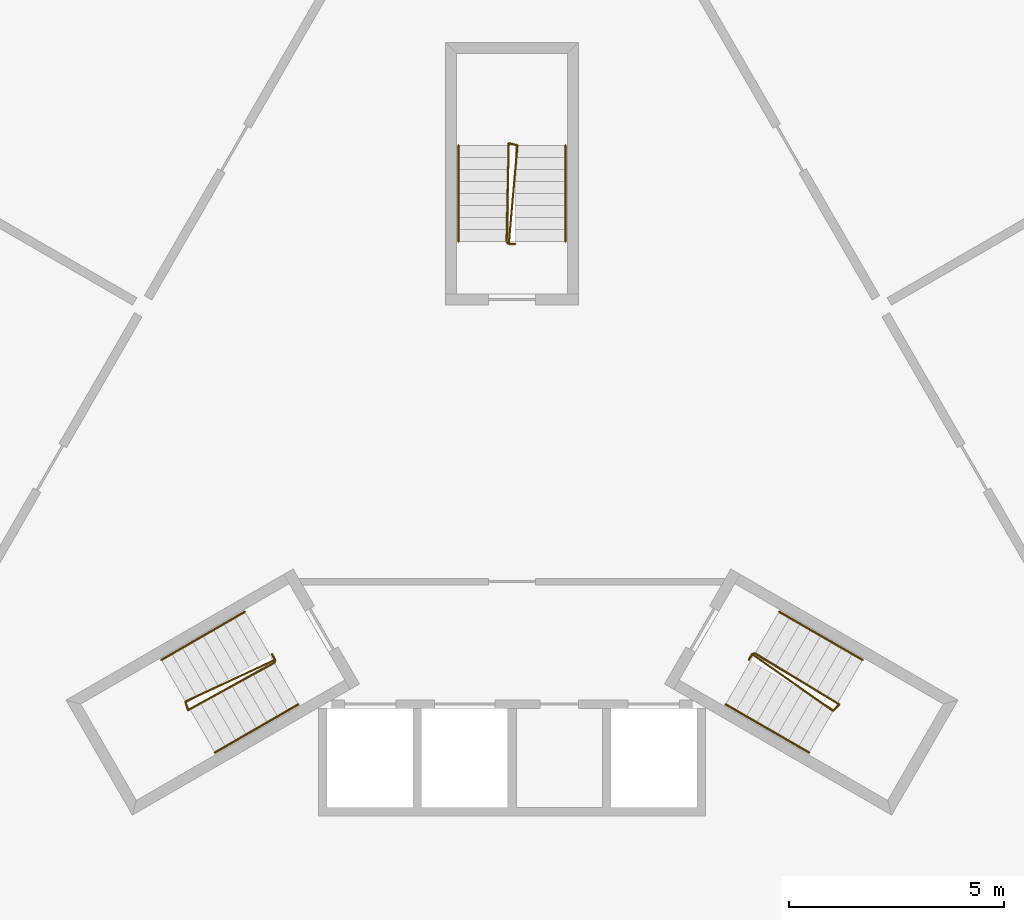
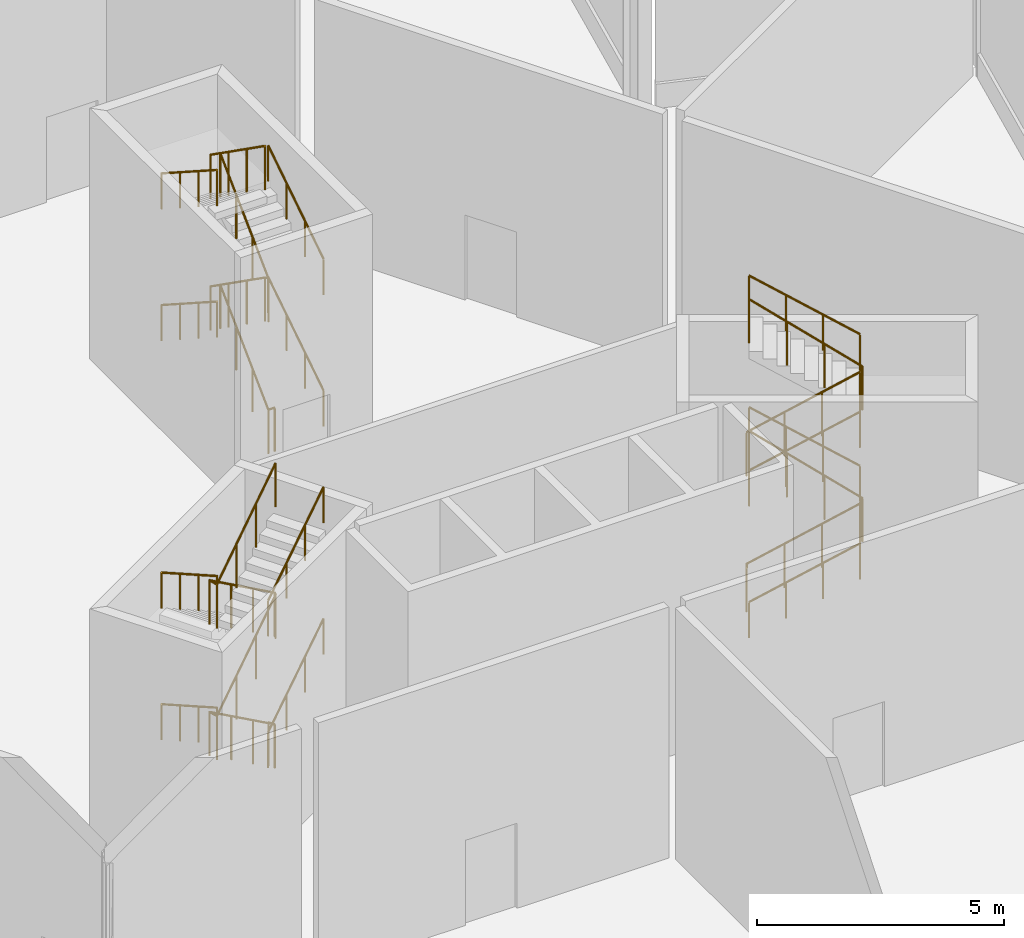
# One storey, part 12 of 12: 15 railings.
"""IFC4 building model written with IfcOpenShell, lengths in metres."""

from ifc_helpers import new_model, si_unit, direction, frame, origin, origin_2d, place, context, subcontext, project, spatial, circle, extrude, material, type_object, element, save


model = new_model("IFC4")

# Units and contexts
model_context = context("Model", 3, precision=1e-05, world=origin(), true_north=direction((0.0, 1.0)))
body_context = subcontext(model_context, "Body", "Model", "MODEL_VIEW")
ifc_project = project(units=[si_unit("LENGTHUNIT", "METRE"), si_unit("AREAUNIT", "SQUARE_METRE"), si_unit("VOLUMEUNIT", "CUBIC_METRE"), si_unit("PLANEANGLEUNIT", "RADIAN"), si_unit("MASSUNIT", "GRAM", prefix="KILO")], contexts=[model_context])

# Site, building, storey
site_placement = place(None, origin())
site = spatial("IfcSite", under=ifc_project, at=site_placement, CompositionType="ELEMENT")
building_placement = place(site_placement, origin())
building = spatial("IfcBuilding", under=site, at=building_placement, Name="Cormorant Prow Tower", CompositionType="ELEMENT")
storey_placement = place(building_placement, frame((0.0, 0.0, 421.699951171875)))
storey = spatial("IfcBuildingStorey", under=building, at=storey_placement, Name="L95", CompositionType="ELEMENT", Elevation=421.699951171875)

# Railings
ifc_material_1 = material(Name="Stainless steel", Category="steel")
railing_type_1 = type_object("IfcRailingType", Name="Stair guard 1100", PredefinedType="GUARDRAIL", material=ifc_material_1)
railing_1_placement = place(storey_placement, frame((-5.585205078125, -3.137939453125, 0.0)))
element("IfcRailing", 1, at=railing_1_placement, inside=storey, type_object=railing_type_1, Name="L95 ST1 stair guard 1", PredefinedType="GUARDRAIL", context=body_context, shape_type="SweptSolid", body=[
    extrude(circle(Radius=0.02392578125, at=origin_2d()), frame((0.0, 0.0, 1.076171875), z_axis=(0.501036270542, -0.865426285481, 0.0), x_axis=(0.865426285481, 0.501036270542, 0.0)), (0.0, 0.0, 1.0), 0.150146484375),
    extrude(circle(Radius=0.02392578125, at=origin_2d()), frame((0.0751953125, -0.1298828125, 1.076171875), z_axis=(-0.740008473092, -0.345244782771, 0.577229157026), x_axis=(0.422792438952, -0.906226546491, 0.0)), (0.0, 0.0, 1.0), 2.815185546875),
    extrude(circle(Radius=0.02392578125, at=origin_2d()), frame((-2.008056640625, -1.101806640625, 2.701171875), z_axis=(0.275034262293, -0.961434425515, 0.0), x_axis=(0.961434425515, 0.275034262293, 0.0)), (0.0, 0.0, 1.0), 0.2060546875),
    extrude(circle(Radius=0.02392578125, at=origin_2d()), frame((-1.951416015625, -1.2998046875, 2.701171875), z_axis=(0.715094700355, 0.392232833455, 0.578612974175), x_axis=(-0.480911908544, 0.87676891837, 0.0)), (0.0, 0.0, 1.0), 2.808349609375),
    extrude(circle(Radius=0.02392578125, at=origin_2d()), frame((0.056884765625, -0.1982421875, 4.326171875), z_axis=(0.258736085224, 0.965948051503, 0.0), x_axis=(-0.965948051503, 0.258736085224, 0.0)), (0.0, 0.0, 1.0), 0.07080078125),
    extrude(circle(Radius=0.02392578125, at=origin_2d()), frame((0.0751953125, -0.1298828125, 4.326171875), z_axis=(-0.740008473092, -0.345244782771, 0.577229157026), x_axis=(0.422792438952, -0.906226546491, 0.0)), (0.0, 0.0, 1.0), 2.815185546875),
    extrude(circle(Radius=0.02392578125, at=origin_2d()), frame((-2.008056640625, -1.101806640625, 5.951171875), z_axis=(0.275034262293, -0.961434425515, 0.0), x_axis=(0.961434425515, 0.275034262293, 0.0)), (0.0, 0.0, 1.0), 0.2060546875),
    extrude(circle(Radius=0.02392578125, at=origin_2d()), frame((-1.951416015625, -1.2998046875, 5.951171875), z_axis=(0.715094700355, 0.392232833455, 0.578612974175), x_axis=(-0.480911908544, 0.87676891837, 0.0)), (0.0, 0.0, 1.0), 2.808349609375),
    extrude(circle(Radius=0.02099609375, at=origin_2d()), origin(), (0.0, 0.0, 1.0), 1.052001953125),
    extrude(circle(Radius=0.02099609375, at=origin_2d()), frame((0.0751953125, -0.1298828125, 0.0)), (0.0, 0.0, 1.0), 1.052001953125),
    extrude(circle(Radius=0.02099609375, at=origin_2d()), frame((-0.619140625, -0.453857421875, 0.541748046875)), (0.0, 0.0, 1.0), 1.052001953125),
    extrude(circle(Radius=0.02099609375, at=origin_2d()), frame((-1.313720703125, -0.77783203125, 1.083251953125)), (0.0, 0.0, 1.0), 1.052001953125),
    extrude(circle(Radius=0.02099609375, at=origin_2d()), frame((-2.008056640625, -1.101806640625, 1.625)), (0.0, 0.0, 1.0), 1.052001953125),
    extrude(circle(Radius=0.02099609375, at=origin_2d()), frame((-1.951416015625, -1.2998046875, 1.625)), (0.0, 0.0, 1.0), 1.052001953125),
    extrude(circle(Radius=0.02099609375, at=origin_2d()), frame((-1.281982421875, -0.9326171875, 2.166748046875)), (0.0, 0.0, 1.0), 1.052001953125),
    extrude(circle(Radius=0.02099609375, at=origin_2d()), frame((-0.612548828125, -0.5654296875, 2.708251953125)), (0.0, 0.0, 1.0), 1.052001953125),
    extrude(circle(Radius=0.02099609375, at=origin_2d()), frame((0.056884765625, -0.1982421875, 3.25)), (0.0, 0.0, 1.0), 1.052001953125),
    extrude(circle(Radius=0.02099609375, at=origin_2d()), frame((0.0751953125, -0.1298828125, 3.25)), (0.0, 0.0, 1.0), 1.052001953125),
    extrude(circle(Radius=0.02099609375, at=origin_2d()), frame((-0.619140625, -0.453857421875, 3.791748046875)), (0.0, 0.0, 1.0), 1.052001953125),
    extrude(circle(Radius=0.02099609375, at=origin_2d()), frame((-1.313720703125, -0.77783203125, 4.333251953125)), (0.0, 0.0, 1.0), 1.052001953125),
    extrude(circle(Radius=0.02099609375, at=origin_2d()), frame((-2.008056640625, -1.101806640625, 4.875)), (0.0, 0.0, 1.0), 1.052001953125),
    extrude(circle(Radius=0.02099609375, at=origin_2d()), frame((-1.951416015625, -1.2998046875, 4.875)), (0.0, 0.0, 1.0), 1.052001953125),
    extrude(circle(Radius=0.02099609375, at=origin_2d()), frame((-1.281982421875, -0.9326171875, 5.416748046875)), (0.0, 0.0, 1.0), 1.052001953125),
    extrude(circle(Radius=0.02099609375, at=origin_2d()), frame((-0.612548828125, -0.5654296875, 5.958251953125)), (0.0, 0.0, 1.0), 1.052001953125),
    extrude(circle(Radius=0.02099609375, at=origin_2d()), frame((0.056884765625, -0.1982421875, 6.5)), (0.0, 0.0, 1.0), 1.052001953125),
])
railing_2_placement = place(storey_placement, frame((5.510009765625, -3.267822265625, 0.0)))
element("IfcRailing", 2, at=railing_2_placement, inside=storey, type_object=railing_type_1, Name="L95 ST2 stair guard 1", PredefinedType="GUARDRAIL", context=body_context, shape_type="SweptSolid", body=[
    extrude(circle(Radius=0.02392578125, at=origin_2d()), frame((0.0, 0.0, 1.076171875), z_axis=(0.501036270542, 0.865426285481, 0.0), x_axis=(-0.865426285481, 0.501036270542, 0.0)), (0.0, 0.0, 1.0), 0.150146484375),
    extrude(circle(Radius=0.02392578125, at=origin_2d()), frame((0.0751953125, 0.1298828125, 1.076171875), z_axis=(0.668948032696, -0.468254949893, 0.577274485365), x_axis=(0.573455215813, 0.819236910458, 0.0)), (0.0, 0.0, 1.0), 2.81494140625),
    extrude(circle(Radius=0.02392578125, at=origin_2d()), frame((1.958251953125, -1.188232421875, 2.701171875), z_axis=(0.695164929852, 0.718850276695, 0.0), x_axis=(-0.718850276695, 0.695164929852, 0.0)), (0.0, 0.0, 1.0), 0.2060546875),
    extrude(circle(Radius=0.02392578125, at=origin_2d()), frame((2.1015625, -1.0400390625, 2.701171875), z_axis=(-0.697276709807, 0.423095093708, 0.578615357246), x_axis=(-0.518752825935, -0.854924268918, 0.0)), (0.0, 0.0, 1.0), 2.808349609375),
    extrude(circle(Radius=0.02392578125, at=origin_2d()), frame((0.143310546875, 0.148193359375, 4.326171875), z_axis=(-0.965715946433, -0.259601060869, 0.0), x_axis=(0.259601060869, -0.965715946433, 0.0)), (0.0, 0.0, 1.0), 0.070556640625),
    extrude(circle(Radius=0.02392578125, at=origin_2d()), frame((0.0751953125, 0.1298828125, 4.326171875), z_axis=(0.668948032696, -0.468254949893, 0.577274485365), x_axis=(0.573455215813, 0.819236910458, 0.0)), (0.0, 0.0, 1.0), 2.81494140625),
    extrude(circle(Radius=0.02392578125, at=origin_2d()), frame((1.958251953125, -1.188232421875, 5.951171875), z_axis=(0.695164929852, 0.718850276695, 0.0), x_axis=(-0.718850276695, 0.695164929852, 0.0)), (0.0, 0.0, 1.0), 0.2060546875),
    extrude(circle(Radius=0.02392578125, at=origin_2d()), frame((2.1015625, -1.0400390625, 5.951171875), z_axis=(-0.697276709807, 0.423095093708, 0.578615357246), x_axis=(-0.518752825935, -0.854924268918, 0.0)), (0.0, 0.0, 1.0), 2.808349609375),
    extrude(circle(Radius=0.02099609375, at=origin_2d()), origin(), (0.0, 0.0, 1.0), 1.052001953125),
    extrude(circle(Radius=0.02099609375, at=origin_2d()), frame((0.0751953125, 0.1298828125, 0.0)), (0.0, 0.0, 1.0), 1.052001953125),
    extrude(circle(Radius=0.02099609375, at=origin_2d()), frame((0.702880859375, -0.3095703125, 0.541748046875)), (0.0, 0.0, 1.0), 1.052001953125),
    extrude(circle(Radius=0.02099609375, at=origin_2d()), frame((1.33056640625, -0.748779296875, 1.083251953125)), (0.0, 0.0, 1.0), 1.052001953125),
    extrude(circle(Radius=0.02099609375, at=origin_2d()), frame((1.958251953125, -1.188232421875, 1.625)), (0.0, 0.0, 1.0), 1.052001953125),
    extrude(circle(Radius=0.02099609375, at=origin_2d()), frame((2.1015625, -1.0400390625, 1.625)), (0.0, 0.0, 1.0), 1.052001953125),
    extrude(circle(Radius=0.02099609375, at=origin_2d()), frame((1.44873046875, -0.64404296875, 2.166748046875)), (0.0, 0.0, 1.0), 1.052001953125),
    extrude(circle(Radius=0.02099609375, at=origin_2d()), frame((0.796142578125, -0.247802734375, 2.708251953125)), (0.0, 0.0, 1.0), 1.052001953125),
    extrude(circle(Radius=0.02099609375, at=origin_2d()), frame((0.143310546875, 0.148193359375, 3.25)), (0.0, 0.0, 1.0), 1.052001953125),
    extrude(circle(Radius=0.02099609375, at=origin_2d()), frame((0.0751953125, 0.1298828125, 3.25)), (0.0, 0.0, 1.0), 1.052001953125),
    extrude(circle(Radius=0.02099609375, at=origin_2d()), frame((0.702880859375, -0.3095703125, 3.791748046875)), (0.0, 0.0, 1.0), 1.052001953125),
    extrude(circle(Radius=0.02099609375, at=origin_2d()), frame((1.33056640625, -0.748779296875, 4.333251953125)), (0.0, 0.0, 1.0), 1.052001953125),
    extrude(circle(Radius=0.02099609375, at=origin_2d()), frame((1.958251953125, -1.188232421875, 4.875)), (0.0, 0.0, 1.0), 1.052001953125),
    extrude(circle(Radius=0.02099609375, at=origin_2d()), frame((2.1015625, -1.0400390625, 4.875)), (0.0, 0.0, 1.0), 1.052001953125),
    extrude(circle(Radius=0.02099609375, at=origin_2d()), frame((1.44873046875, -0.64404296875, 5.416748046875)), (0.0, 0.0, 1.0), 1.052001953125),
    extrude(circle(Radius=0.02099609375, at=origin_2d()), frame((0.796142578125, -0.247802734375, 5.958251953125)), (0.0, 0.0, 1.0), 1.052001953125),
    extrude(circle(Radius=0.02099609375, at=origin_2d()), frame((0.143310546875, 0.148193359375, 6.5)), (0.0, 0.0, 1.0), 1.052001953125),
])
railing_3_placement = place(storey_placement, frame((0.074951171875, 6.40576171875, 0.0)))
element("IfcRailing", 3, at=railing_3_placement, inside=storey, type_object=railing_type_1, Name="L95 ST3 stair guard 1", PredefinedType="GUARDRAIL", context=body_context, shape_type="SweptSolid", body=[
    extrude(circle(Radius=0.02392578125, at=origin_2d()), frame((0.0, 0.0, 1.076171875), z_axis=(-1.0, 0.0, 0.0), x_axis=(0.0, -1.0, 0.0)), (0.0, 0.0, 1.0), 0.14990234375),
    extrude(circle(Radius=0.02392578125, at=origin_2d()), frame((-0.14990234375, 0.0, 1.076171875), z_axis=(0.071027656616, 0.813479144146, 0.577240637893), x_axis=(-0.996209839609, 0.086982500921, 0.0)), (0.0, 0.0, 1.0), 2.815185546875),
    extrude(circle(Radius=0.02392578125, at=origin_2d()), frame((0.050048828125, 2.2900390625, 2.701171875), z_axis=(-0.970072785993, 0.242814311512, 0.0), x_axis=(-0.242814311512, -0.970072785993, 0.0)), (0.0, 0.0, 1.0), 0.2060546875),
    extrude(circle(Radius=0.02392578125, at=origin_2d()), frame((-0.14990234375, 2.340087890625, 2.701171875), z_axis=(-0.017820781196, -0.815409403021, 0.578610339713), x_axis=(0.999761264773, -0.0218497931, 0.0)), (0.0, 0.0, 1.0), 2.808349609375),
    extrude(circle(Radius=0.02392578125, at=origin_2d()), frame((-0.199951171875, 0.050048828125, 4.326171875), z_axis=(0.707106781187, -0.707106781187, 0.0), x_axis=(0.707106781187, 0.707106781187, 0.0)), (0.0, 0.0, 1.0), 0.07080078125),
    extrude(circle(Radius=0.02392578125, at=origin_2d()), frame((-0.14990234375, 0.0, 4.326171875), z_axis=(0.071027656616, 0.813479144146, 0.577240637893), x_axis=(-0.996209839609, 0.086982500921, 0.0)), (0.0, 0.0, 1.0), 2.815185546875),
    extrude(circle(Radius=0.02392578125, at=origin_2d()), frame((0.050048828125, 2.2900390625, 5.951171875), z_axis=(-0.970072785993, 0.242814311512, 0.0), x_axis=(-0.242814311512, -0.970072785993, 0.0)), (0.0, 0.0, 1.0), 0.2060546875),
    extrude(circle(Radius=0.02392578125, at=origin_2d()), frame((-0.14990234375, 2.340087890625, 5.951171875), z_axis=(-0.017820781196, -0.815409403021, 0.578610339713), x_axis=(0.999761264773, -0.0218497931, 0.0)), (0.0, 0.0, 1.0), 2.808349609375),
    extrude(circle(Radius=0.02099609375, at=origin_2d()), origin(), (0.0, 0.0, 1.0), 1.052001953125),
    extrude(circle(Radius=0.02099609375, at=origin_2d()), frame((-0.14990234375, 0.0, 0.0)), (0.0, 0.0, 1.0), 1.052001953125),
    extrude(circle(Radius=0.02099609375, at=origin_2d()), frame((-0.083251953125, 0.763427734375, 0.541748046875)), (0.0, 0.0, 1.0), 1.052001953125),
    extrude(circle(Radius=0.02099609375, at=origin_2d()), frame((-0.0166015625, 1.526611328125, 1.083251953125)), (0.0, 0.0, 1.0), 1.052001953125),
    extrude(circle(Radius=0.02099609375, at=origin_2d()), frame((0.050048828125, 2.2900390625, 1.625)), (0.0, 0.0, 1.0), 1.052001953125),
    extrude(circle(Radius=0.02099609375, at=origin_2d()), frame((-0.14990234375, 2.340087890625, 1.625)), (0.0, 0.0, 1.0), 1.052001953125),
    extrude(circle(Radius=0.02099609375, at=origin_2d()), frame((-0.16650390625, 1.57666015625, 2.166748046875)), (0.0, 0.0, 1.0), 1.052001953125),
    extrude(circle(Radius=0.02099609375, at=origin_2d()), frame((-0.183349609375, 0.8134765625, 2.708251953125)), (0.0, 0.0, 1.0), 1.052001953125),
    extrude(circle(Radius=0.02099609375, at=origin_2d()), frame((-0.199951171875, 0.050048828125, 3.25)), (0.0, 0.0, 1.0), 1.052001953125),
    extrude(circle(Radius=0.02099609375, at=origin_2d()), frame((-0.14990234375, 0.0, 3.25)), (0.0, 0.0, 1.0), 1.052001953125),
    extrude(circle(Radius=0.02099609375, at=origin_2d()), frame((-0.083251953125, 0.763427734375, 3.791748046875)), (0.0, 0.0, 1.0), 1.052001953125),
    extrude(circle(Radius=0.02099609375, at=origin_2d()), frame((-0.0166015625, 1.526611328125, 4.333251953125)), (0.0, 0.0, 1.0), 1.052001953125),
    extrude(circle(Radius=0.02099609375, at=origin_2d()), frame((0.050048828125, 2.2900390625, 4.875)), (0.0, 0.0, 1.0), 1.052001953125),
    extrude(circle(Radius=0.02099609375, at=origin_2d()), frame((-0.14990234375, 2.340087890625, 4.875)), (0.0, 0.0, 1.0), 1.052001953125),
    extrude(circle(Radius=0.02099609375, at=origin_2d()), frame((-0.16650390625, 1.57666015625, 5.416748046875)), (0.0, 0.0, 1.0), 1.052001953125),
    extrude(circle(Radius=0.02099609375, at=origin_2d()), frame((-0.183349609375, 0.8134765625, 5.958251953125)), (0.0, 0.0, 1.0), 1.052001953125),
    extrude(circle(Radius=0.02099609375, at=origin_2d()), frame((-0.199951171875, 0.050048828125, 6.5)), (0.0, 0.0, 1.0), 1.052001953125),
])
ifc_material_2 = material(Name="Stainless steel", Category="steel")
railing_type_2 = type_object("IfcRailingType", Name="Stair handrail 900", PredefinedType="HANDRAIL", material=ifc_material_2)
railing_4_placement = place(storey_placement, frame((-6.212890625, -2.150634765625, 0.1806640625)))
element("IfcRailing", 4, at=railing_4_placement, inside=storey, type_object=railing_type_2, Name="L95 ST1 stair handrail 1", PredefinedType="HANDRAIL", context=body_context, shape_type="SweptSolid", body=[
    extrude(circle(Radius=0.02392578125, at=origin_2d()), frame((0.0, 0.0, 0.8759765625), z_axis=(-0.727862807897, -0.420174515457, 0.541912455514), x_axis=(0.49994888933, -0.866054910533, 0.0)), (0.0, 0.0, 1.0), 2.665283203125),
    extrude(circle(Radius=0.02099609375, at=origin_2d()), origin(), (0.0, 0.0, 1.0), 0.851806640625),
    extrude(circle(Radius=0.02099609375, at=origin_2d()), frame((-0.646728515625, -0.373291015625, 0.4814453125)), (0.0, 0.0, 1.0), 0.851806640625),
    extrude(circle(Radius=0.02099609375, at=origin_2d()), frame((-1.293212890625, -0.74658203125, 0.962890625)), (0.0, 0.0, 1.0), 0.851806640625),
    extrude(circle(Radius=0.02099609375, at=origin_2d()), frame((-1.93994140625, -1.119873046875, 1.4443359375)), (0.0, 0.0, 1.0), 0.851806640625),
])
railing_5_placement = place(storey_placement, frame((-6.90869140625, -5.42529296875, 1.8056640625)))
element("IfcRailing", 5, at=railing_5_placement, inside=storey, type_object=railing_type_2, Name="L95 ST1 stair handrail 2", PredefinedType="HANDRAIL", context=body_context, shape_type="SweptSolid", body=[
    extrude(circle(Radius=0.02392578125, at=origin_2d()), frame((0.0, 0.0, 0.8759765625), z_axis=(0.727791713441, 0.420277958624, 0.541927725201), x_axis=(-0.500077830873, 0.865980463445, 0.0)), (0.0, 0.0, 1.0), 2.665283203125),
    extrude(circle(Radius=0.02099609375, at=origin_2d()), origin(), (0.0, 0.0, 1.0), 0.851806640625),
    extrude(circle(Radius=0.02099609375, at=origin_2d()), frame((0.646484375, 0.373291015625, 0.4814453125)), (0.0, 0.0, 1.0), 0.851806640625),
    extrude(circle(Radius=0.02099609375, at=origin_2d()), frame((1.293212890625, 0.746826171875, 0.962890625)), (0.0, 0.0, 1.0), 0.851806640625),
    extrude(circle(Radius=0.02099609375, at=origin_2d()), frame((1.939697265625, 1.1201171875, 1.4443359375)), (0.0, 0.0, 1.0), 0.851806640625),
])
railing_6_placement = place(storey_placement, frame((-6.212890625, -2.150634765625, 3.4306640625)))
element("IfcRailing", 6, at=railing_6_placement, inside=storey, type_object=railing_type_2, Name="L95 ST1 stair handrail 3", PredefinedType="HANDRAIL", context=body_context, shape_type="SweptSolid", body=[
    extrude(circle(Radius=0.02392578125, at=origin_2d()), frame((0.0, 0.0, 0.8759765625), z_axis=(-0.727862807897, -0.420174515457, 0.541912455514), x_axis=(0.49994888933, -0.866054910533, 0.0)), (0.0, 0.0, 1.0), 2.665283203125),
    extrude(circle(Radius=0.02099609375, at=origin_2d()), origin(), (0.0, 0.0, 1.0), 0.851806640625),
    extrude(circle(Radius=0.02099609375, at=origin_2d()), frame((-0.646728515625, -0.373291015625, 0.4814453125)), (0.0, 0.0, 1.0), 0.851806640625),
    extrude(circle(Radius=0.02099609375, at=origin_2d()), frame((-1.293212890625, -0.74658203125, 0.962890625)), (0.0, 0.0, 1.0), 0.851806640625),
    extrude(circle(Radius=0.02099609375, at=origin_2d()), frame((-1.93994140625, -1.119873046875, 1.4443359375)), (0.0, 0.0, 1.0), 0.851806640625),
])
railing_7_placement = place(storey_placement, frame((-6.90869140625, -5.42529296875, 5.0556640625)))
element("IfcRailing", 7, at=railing_7_placement, inside=storey, type_object=railing_type_2, Name="L95 ST1 stair handrail 4", PredefinedType="HANDRAIL", context=body_context, shape_type="SweptSolid", body=[
    extrude(circle(Radius=0.02392578125, at=origin_2d()), frame((0.0, 0.0, 0.8759765625), z_axis=(0.727791713441, 0.420277958624, 0.541927725201), x_axis=(-0.500077830873, 0.865980463445, 0.0)), (0.0, 0.0, 1.0), 2.665283203125),
    extrude(circle(Radius=0.02099609375, at=origin_2d()), origin(), (0.0, 0.0, 1.0), 0.851806640625),
    extrude(circle(Radius=0.02099609375, at=origin_2d()), frame((0.646484375, 0.373291015625, 0.4814453125)), (0.0, 0.0, 1.0), 0.851806640625),
    extrude(circle(Radius=0.02099609375, at=origin_2d()), frame((1.293212890625, 0.746826171875, 0.962890625)), (0.0, 0.0, 1.0), 0.851806640625),
    extrude(circle(Radius=0.02099609375, at=origin_2d()), frame((1.939697265625, 1.1201171875, 1.4443359375)), (0.0, 0.0, 1.0), 0.851806640625),
])
railing_8_placement = place(storey_placement, frame((4.968994140625, -4.30517578125, 0.1806640625)))
element("IfcRailing", 8, at=railing_8_placement, inside=storey, type_object=railing_type_2, Name="L95 ST2 stair handrail 1", PredefinedType="HANDRAIL", context=body_context, shape_type="SweptSolid", body=[
    extrude(circle(Radius=0.02392578125, at=origin_2d()), frame((0.0, 0.0, 0.8759765625), z_axis=(0.727791713441, -0.420277958624, 0.541927725201), x_axis=(0.500077830873, 0.865980463445, 0.0)), (0.0, 0.0, 1.0), 2.665283203125),
    extrude(circle(Radius=0.02099609375, at=origin_2d()), origin(), (0.0, 0.0, 1.0), 0.851806640625),
    extrude(circle(Radius=0.02099609375, at=origin_2d()), frame((0.646484375, -0.373291015625, 0.4814453125)), (0.0, 0.0, 1.0), 0.851806640625),
    extrude(circle(Radius=0.02099609375, at=origin_2d()), frame((1.293212890625, -0.746826171875, 0.962890625)), (0.0, 0.0, 1.0), 0.851806640625),
    extrude(circle(Radius=0.02099609375, at=origin_2d()), frame((1.939697265625, -1.1201171875, 1.4443359375)), (0.0, 0.0, 1.0), 0.851806640625),
])
railing_9_placement = place(storey_placement, frame((8.15283203125, -3.2705078125, 1.8056640625)))
element("IfcRailing", 9, at=railing_9_placement, inside=storey, type_object=railing_type_2, Name="L95 ST2 stair handrail 2", PredefinedType="HANDRAIL", context=body_context, shape_type="SweptSolid", body=[
    extrude(circle(Radius=0.02392578125, at=origin_2d()), frame((0.0, 0.0, 0.8759765625), z_axis=(-0.727862807897, 0.420174515457, 0.541912455514), x_axis=(-0.49994888933, -0.866054910533, 0.0)), (0.0, 0.0, 1.0), 2.665283203125),
    extrude(circle(Radius=0.02099609375, at=origin_2d()), origin(), (0.0, 0.0, 1.0), 0.851806640625),
    extrude(circle(Radius=0.02099609375, at=origin_2d()), frame((-0.646728515625, 0.373291015625, 0.4814453125)), (0.0, 0.0, 1.0), 0.851806640625),
    extrude(circle(Radius=0.02099609375, at=origin_2d()), frame((-1.293212890625, 0.74658203125, 0.962890625)), (0.0, 0.0, 1.0), 0.851806640625),
    extrude(circle(Radius=0.02099609375, at=origin_2d()), frame((-1.93994140625, 1.119873046875, 1.4443359375)), (0.0, 0.0, 1.0), 0.851806640625),
])
railing_10_placement = place(storey_placement, frame((4.968994140625, -4.30517578125, 3.4306640625)))
element("IfcRailing", 10, at=railing_10_placement, inside=storey, type_object=railing_type_2, Name="L95 ST2 stair handrail 3", PredefinedType="HANDRAIL", context=body_context, shape_type="SweptSolid", body=[
    extrude(circle(Radius=0.02392578125, at=origin_2d()), frame((0.0, 0.0, 0.8759765625), z_axis=(0.727791713441, -0.420277958624, 0.541927725201), x_axis=(0.500077830873, 0.865980463445, 0.0)), (0.0, 0.0, 1.0), 2.665283203125),
    extrude(circle(Radius=0.02099609375, at=origin_2d()), origin(), (0.0, 0.0, 1.0), 0.851806640625),
    extrude(circle(Radius=0.02099609375, at=origin_2d()), frame((0.646484375, -0.373291015625, 0.4814453125)), (0.0, 0.0, 1.0), 0.851806640625),
    extrude(circle(Radius=0.02099609375, at=origin_2d()), frame((1.293212890625, -0.746826171875, 0.962890625)), (0.0, 0.0, 1.0), 0.851806640625),
    extrude(circle(Radius=0.02099609375, at=origin_2d()), frame((1.939697265625, -1.1201171875, 1.4443359375)), (0.0, 0.0, 1.0), 0.851806640625),
])
railing_11_placement = place(storey_placement, frame((8.15283203125, -3.2705078125, 5.0556640625)))
element("IfcRailing", 11, at=railing_11_placement, inside=storey, type_object=railing_type_2, Name="L95 ST2 stair handrail 4", PredefinedType="HANDRAIL", context=body_context, shape_type="SweptSolid", body=[
    extrude(circle(Radius=0.02392578125, at=origin_2d()), frame((0.0, 0.0, 0.8759765625), z_axis=(-0.727862807897, 0.420174515457, 0.541912455514), x_axis=(-0.49994888933, -0.866054910533, 0.0)), (0.0, 0.0, 1.0), 2.665283203125),
    extrude(circle(Radius=0.02099609375, at=origin_2d()), origin(), (0.0, 0.0, 1.0), 0.851806640625),
    extrude(circle(Radius=0.02099609375, at=origin_2d()), frame((-0.646728515625, 0.373291015625, 0.4814453125)), (0.0, 0.0, 1.0), 0.851806640625),
    extrude(circle(Radius=0.02099609375, at=origin_2d()), frame((-1.293212890625, 0.74658203125, 0.962890625)), (0.0, 0.0, 1.0), 0.851806640625),
    extrude(circle(Radius=0.02099609375, at=origin_2d()), frame((-1.93994140625, 1.119873046875, 1.4443359375)), (0.0, 0.0, 1.0), 0.851806640625),
])
railing_12_placement = place(storey_placement, frame((1.243896484375, 6.455810546875, 0.1806640625)))
element("IfcRailing", 12, at=railing_12_placement, inside=storey, type_object=railing_type_2, Name="L95 ST3 stair handrail 1", PredefinedType="HANDRAIL", context=body_context, shape_type="SweptSolid", body=[
    extrude(circle(Radius=0.02392578125, at=origin_2d()), frame((0.0, 0.0, 0.8759765625), z_axis=(0.0, 0.840436612492, 0.541909863706), x_axis=(-1.0, 0.0, 0.0)), (0.0, 0.0, 1.0), 2.665283203125),
    extrude(circle(Radius=0.02099609375, at=origin_2d()), origin(), (0.0, 0.0, 1.0), 0.851806640625),
    extrude(circle(Radius=0.02099609375, at=origin_2d()), frame((0.0, 0.74658203125, 0.4814453125)), (0.0, 0.0, 1.0), 0.851806640625),
    extrude(circle(Radius=0.02099609375, at=origin_2d()), frame((0.0, 1.493408203125, 0.962890625)), (0.0, 0.0, 1.0), 0.851806640625),
    extrude(circle(Radius=0.02099609375, at=origin_2d()), frame((0.0, 2.239990234375, 1.4443359375)), (0.0, 0.0, 1.0), 0.851806640625),
])
railing_13_placement = place(storey_placement, frame((-1.243896484375, 8.69580078125, 1.8056640625)))
element("IfcRailing", 13, at=railing_13_placement, inside=storey, type_object=railing_type_2, Name="L95 ST3 stair handrail 2", PredefinedType="HANDRAIL", context=body_context, shape_type="SweptSolid", body=[
    extrude(circle(Radius=0.02392578125, at=origin_2d()), frame((0.0, 0.0, 0.8759765625), z_axis=(0.0, -0.840436612492, 0.541909863706), x_axis=(1.0, 0.0, 0.0)), (0.0, 0.0, 1.0), 2.665283203125),
    extrude(circle(Radius=0.02099609375, at=origin_2d()), origin(), (0.0, 0.0, 1.0), 0.851806640625),
    extrude(circle(Radius=0.02099609375, at=origin_2d()), frame((0.0, -0.74658203125, 0.4814453125)), (0.0, 0.0, 1.0), 0.851806640625),
    extrude(circle(Radius=0.02099609375, at=origin_2d()), frame((0.0, -1.493408203125, 0.962890625)), (0.0, 0.0, 1.0), 0.851806640625),
    extrude(circle(Radius=0.02099609375, at=origin_2d()), frame((0.0, -2.239990234375, 1.4443359375)), (0.0, 0.0, 1.0), 0.851806640625),
])
railing_14_placement = place(storey_placement, frame((1.243896484375, 6.455810546875, 3.4306640625)))
element("IfcRailing", 14, at=railing_14_placement, inside=storey, type_object=railing_type_2, Name="L95 ST3 stair handrail 3", PredefinedType="HANDRAIL", context=body_context, shape_type="SweptSolid", body=[
    extrude(circle(Radius=0.02392578125, at=origin_2d()), frame((0.0, 0.0, 0.8759765625), z_axis=(0.0, 0.840436612492, 0.541909863706), x_axis=(-1.0, 0.0, 0.0)), (0.0, 0.0, 1.0), 2.665283203125),
    extrude(circle(Radius=0.02099609375, at=origin_2d()), origin(), (0.0, 0.0, 1.0), 0.851806640625),
    extrude(circle(Radius=0.02099609375, at=origin_2d()), frame((0.0, 0.74658203125, 0.4814453125)), (0.0, 0.0, 1.0), 0.851806640625),
    extrude(circle(Radius=0.02099609375, at=origin_2d()), frame((0.0, 1.493408203125, 0.962890625)), (0.0, 0.0, 1.0), 0.851806640625),
    extrude(circle(Radius=0.02099609375, at=origin_2d()), frame((0.0, 2.239990234375, 1.4443359375)), (0.0, 0.0, 1.0), 0.851806640625),
])
railing_15_placement = place(storey_placement, frame((-1.243896484375, 8.69580078125, 5.0556640625)))
element("IfcRailing", 15, at=railing_15_placement, inside=storey, type_object=railing_type_2, Name="L95 ST3 stair handrail 4", PredefinedType="HANDRAIL", context=body_context, shape_type="SweptSolid", body=[
    extrude(circle(Radius=0.02392578125, at=origin_2d()), frame((0.0, 0.0, 0.8759765625), z_axis=(0.0, -0.840436612492, 0.541909863706), x_axis=(1.0, 0.0, 0.0)), (0.0, 0.0, 1.0), 2.665283203125),
    extrude(circle(Radius=0.02099609375, at=origin_2d()), origin(), (0.0, 0.0, 1.0), 0.851806640625),
    extrude(circle(Radius=0.02099609375, at=origin_2d()), frame((0.0, -0.74658203125, 0.4814453125)), (0.0, 0.0, 1.0), 0.851806640625),
    extrude(circle(Radius=0.02099609375, at=origin_2d()), frame((0.0, -1.493408203125, 0.962890625)), (0.0, 0.0, 1.0), 0.851806640625),
    extrude(circle(Radius=0.02099609375, at=origin_2d()), frame((0.0, -2.239990234375, 1.4443359375)), (0.0, 0.0, 1.0), 0.851806640625),
])

save(model, "model.ifc")
